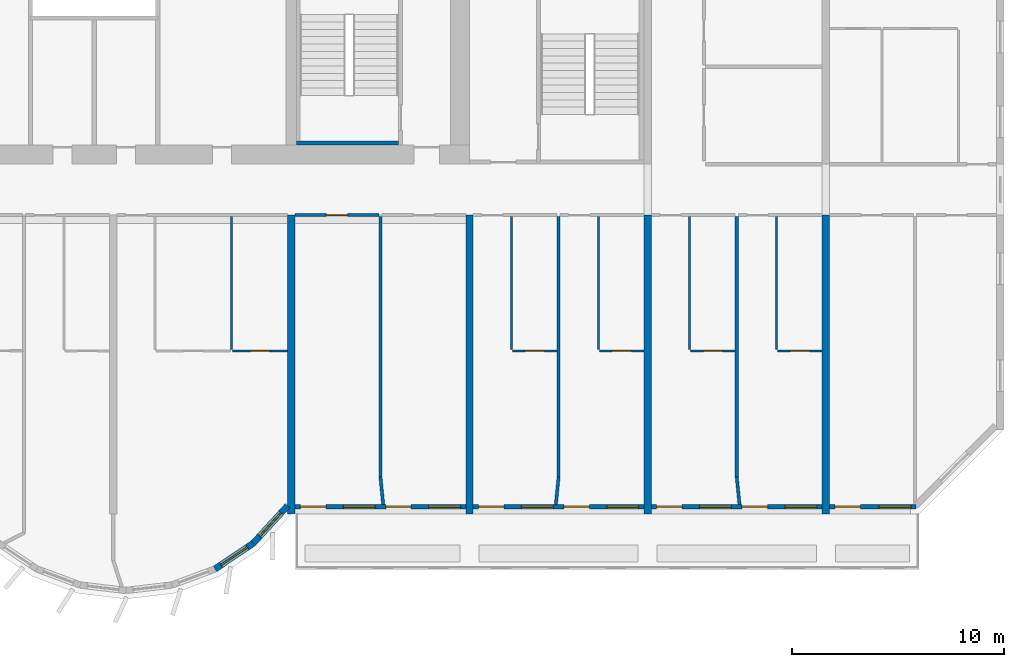
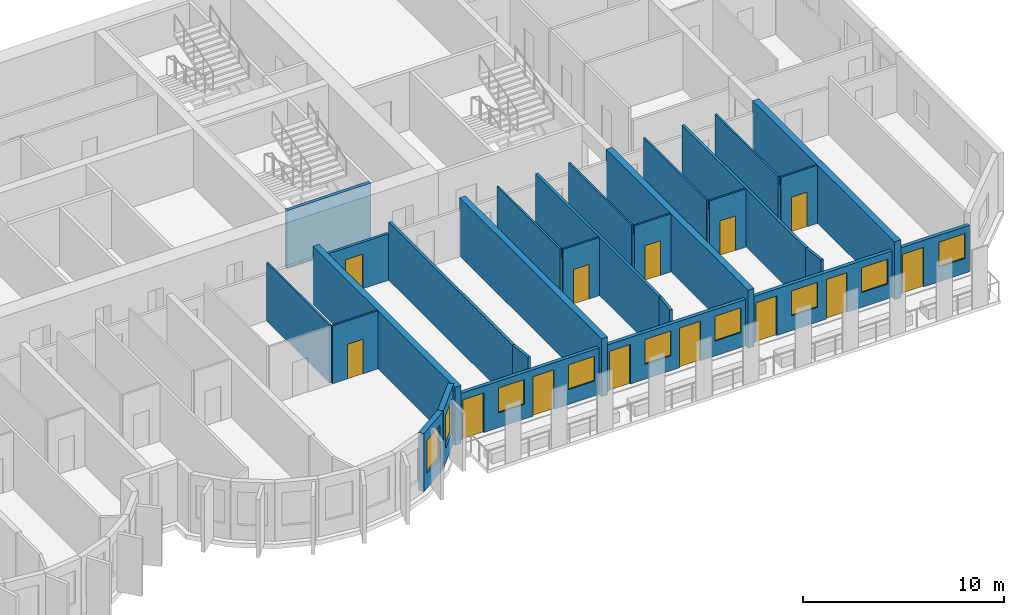
# One storey, part 8 of 14: 28 walls, 13 doors, 9 windows, 22 openings.
"""IFC4 building model written with IfcOpenShell, lengths in metres."""

from ifc_helpers import new_model, si_unit, direction, frame, frame_2d, origin, place, context, subcontext, project, spatial, rectangle, extrude, source, transform, mapped, material, layer, layer_set, type_object, element, fill, save


model = new_model("IFC4")

# Units and contexts
model_context = context("Model", 3, precision=1e-05, world=origin(), true_north=direction((0.0, 1.0)))
body_context = subcontext(model_context, "Body", "Model", "MODEL_VIEW")
ifc_project = project(units=[si_unit("LENGTHUNIT", "METRE"), si_unit("AREAUNIT", "SQUARE_METRE"), si_unit("VOLUMEUNIT", "CUBIC_METRE"), si_unit("PLANEANGLEUNIT", "RADIAN"), si_unit("MASSUNIT", "GRAM", prefix="KILO")], contexts=[model_context])

# Site, building, storey
site_placement = place(None, origin())
site = spatial("IfcSite", under=ifc_project, at=site_placement, CompositionType="ELEMENT")
building_placement = place(site_placement, origin())
building = spatial("IfcBuilding", under=site, at=building_placement, Name="Vanashikhar Sky Hotel", CompositionType="ELEMENT")
storey_placement = place(building_placement, frame((0.0, 0.0, 129.39990234375)))
storey = spatial("IfcBuildingStorey", under=building, at=storey_placement, Name="L31", CompositionType="ELEMENT", Elevation=129.39990234375)

# Walls
ifc_material_1 = material(Name="Concrete M70", Category="concrete")
ifc_layer_1 = layer(ifc_material_1, 0.35009765625)
ifc_layer_set_1 = layer_set([ifc_layer_1], Name="RC shear wall 350 Concrete M70")
wall_type_1 = type_object("IfcWallType", Name="RC shear wall 350 Concrete M70", PredefinedType="SHEAR", material=ifc_layer_set_1)
shared_shape_1 = source(origin(), body_context, "Body", "SweptSolid", [
    extrude(rectangle(XDim=14.10009765625, YDim=0.35009765625, at=frame_2d((7.050048828125, 0.0))), origin(), (0.0, 0.0, 1.0), 3.52001953125),
])
for number, where, z_axis, x_axis, name in (
    (1, (67.199951171875, 5.5, 0.0), (0.0, 0.0, 1.0), (0.0, 1.0, 0.0), "CW-L31-XW09-1"),
    (2, (75.60009765625, 5.5, 0.0), (0.0, 0.0, 1.0), (0.0, 1.0, 0.0), "CW-L31-XW10-1"),
    (3, (84.0, 5.5, 0.0), (0.0, 0.0, 1.0), (0.0, 1.0, 0.0), "CW-L31-XW11-1"),
    (4, (92.39990234375, 5.5, 0.0), (0.0, 0.0, 1.0), (0.0, 1.0, 0.0), "CW-L31-XW12-1"),
):
    element("IfcWall", number, at=place(storey_placement, frame(where, z_axis=z_axis, x_axis=x_axis)), inside=storey, type_object=wall_type_1, Name=name, PredefinedType="SHEAR", context=body_context, shape_type="MappedRepresentation", body=[
        mapped(shared_shape_1, transform((0.0, 0.0, 0.0), scale=1.0)),
    ])

# Wall, opening, window
ifc_material_2 = material(Name="Concrete M50", Category="concrete")
ifc_layer_2 = layer(ifc_material_2, 0.300048828125)
ifc_layer_set_2 = layer_set([ifc_layer_2], Name="Lobe wall 300")
wall_type_2 = type_object("IfcWallType", Name="Lobe wall 300", PredefinedType="SOLIDWALL", material=ifc_layer_set_2)
shared_shape_2 = source(origin(), body_context, "Body", "SweptSolid", [
    extrude(rectangle(XDim=2.398193359375, YDim=0.300048828125, at=frame_2d((1.19921875, 0.0))), origin(), (0.0, 0.0, 1.0), 3.52001953125),
])
wall_1_placement = place(storey_placement, frame((65.404296875, 4.13134765625, 0.0), z_axis=(0.0, 0.0, 1.0), x_axis=(0.675374189419, 0.737475222815, 0.0)))
wall_1 = element("IfcWall", 5, at=wall_1_placement, inside=storey, type_object=wall_type_2, Name="Lobe wall", PredefinedType="SOLIDWALL", context=body_context, shape_type="MappedRepresentation", body=[
    mapped(shared_shape_2, transform((0.0, 0.0, 0.0), scale=1.0)),
])
shared_shape_3 = source(origin(), body_context, "Body", "SweptSolid", [
    extrude(rectangle(XDim=1.5, YDim=2.0, at=frame_2d((0.75, 1.0))), frame((0.0, 0.16015625, 0.0), z_axis=(0.0, -1.0, 0.0), x_axis=(1.0, 0.0, 0.0)), (0.0, 0.0, 1.0), 0.320068359375),
])
opening_1_placement = place(wall_1_placement, frame((0.44921875, 0.0, 0.89990234375)))
opening_1 = element("IfcOpeningElement", 6, at=opening_1_placement, cuts=wall_1, Name="Opening WN-2", PredefinedType="OPENING", context=body_context, shape_type="MappedRepresentation", body=[
    mapped(shared_shape_3, transform((0.0, 0.0, 0.0), scale=1.0)),
])
ifc_material_3 = material(Name="Glass", Category="glass")
window_type_1 = type_object("IfcWindowType", Name="Lobe window 1500 x 2000", PartitioningType="SINGLE_PANEL", PredefinedType="WINDOW", material=ifc_material_3)
shared_shape_4 = source(origin(), body_context, "Body", "SweptSolid", [
    extrude(rectangle(XDim=1.5, YDim=2.0, at=frame_2d((0.75, 1.0))), frame((0.0, 0.030029296875, 0.0), z_axis=(0.0, -1.0, 0.0), x_axis=(1.0, 0.0, 0.0)), (0.0, 0.0, 1.0), 0.06005859375),
])
window_1_placement = place(opening_1_placement, origin())
window_1 = element("IfcWindow", 7, at=window_1_placement, inside=storey, type_object=window_type_1, Name="Window WN-2", OverallHeight=2.0, OverallWidth=1.5, PartitioningType="SINGLE_PANEL", PredefinedType="WINDOW", context=body_context, shape_type="MappedRepresentation", body=[
    mapped(shared_shape_4, transform((0.0, 0.0, 0.0), scale=1.0)),
])
fill(opening_1, window_1)

shared_shape_5 = source(origin(), body_context, "Body", "SweptSolid", [
    extrude(rectangle(XDim=2.17578125, YDim=0.300048828125, at=frame_2d((1.087890625, 0.0))), origin(), (0.0, 0.0, 1.0), 3.52001953125),
])
wall_2_placement = place(storey_placement, frame((63.59912109375, 2.91650390625, 0.0), z_axis=(0.0, 0.0, 1.0), x_axis=(0.829625727223, 0.558319937607, 0.0)))
wall_2 = element("IfcWall", 8, at=wall_2_placement, inside=storey, type_object=wall_type_2, Name="Lobe wall", PredefinedType="SOLIDWALL", context=body_context, shape_type="MappedRepresentation", body=[
    mapped(shared_shape_5, transform((0.0, 0.0, 0.0), scale=1.0)),
])
opening_2_placement = place(wall_2_placement, frame((0.337890625, 0.0, 0.89990234375)))
opening_2 = element("IfcOpeningElement", 9, at=opening_2_placement, cuts=wall_2, Name="Opening WN-2", PredefinedType="OPENING", context=body_context, shape_type="MappedRepresentation", body=[
    mapped(shared_shape_3, transform((0.0, 0.0, 0.0), scale=1.0)),
])
window_2_placement = place(opening_2_placement, origin())
window_2 = element("IfcWindow", 10, at=window_2_placement, inside=storey, type_object=window_type_1, Name="Window WN-2", OverallHeight=2.0, OverallWidth=1.5, PartitioningType="SINGLE_PANEL", PredefinedType="WINDOW", context=body_context, shape_type="MappedRepresentation", body=[
    mapped(shared_shape_4, transform((0.0, 0.0, 0.0), scale=1.0)),
])
fill(opening_2, window_2)

# Wall, openings, window, door
ifc_layer_3 = layer(ifc_material_2, 0.199951171875)
ifc_layer_set_3 = layer_set([ifc_layer_3], Name="Front window wall 200")
wall_type_3 = type_object("IfcWallType", Name="Front window wall 200", PredefinedType="SOLIDWALL", material=ifc_layer_set_3)
shared_shape_6 = source(origin(), body_context, "Body", "SweptSolid", [
    extrude(rectangle(XDim=4.080078125, YDim=0.199951171875, at=frame_2d((2.0400390625, 0.0))), origin(), (0.0, 0.0, 1.0), 2.820068359375),
])
wall_3_placement = place(storey_placement, frame((92.574951171875, 5.85009765625, 0.0), z_axis=(0.0, 0.0, 1.0), x_axis=(1.0, 0.0, 0.0)))
wall_3 = element("IfcWall", 11, at=wall_3_placement, inside=storey, type_object=wall_type_3, Name="Front window wall", PredefinedType="SOLIDWALL", context=body_context, shape_type="MappedRepresentation", body=[
    mapped(shared_shape_6, transform((0.0, 0.0, 0.0), scale=1.0)),
])
shared_shape_7 = source(origin(), body_context, "Body", "SweptSolid", [
    extrude(rectangle(XDim=1.199951171875, YDim=2.39990234375, at=frame_2d((0.60009765625, 1.199951171875))), frame((0.0, 0.10986328125, 0.0), z_axis=(0.0, -1.0, 0.0), x_axis=(1.0, 0.0, 0.0)), (0.0, 0.0, 1.0), 0.219970703125),
])
opening_3_placement = place(wall_3_placement, frame((0.25, 0.0, 0.0)))
opening_3 = element("IfcOpeningElement", 12, at=opening_3_placement, cuts=wall_3, Name="Opening BD-14", PredefinedType="OPENING", context=body_context, shape_type="MappedRepresentation", body=[
    mapped(shared_shape_7, transform((0.0, 0.0, 0.0), scale=1.0)),
])
shared_shape_8 = source(origin(), body_context, "Body", "SweptSolid", [
    extrude(rectangle(XDim=1.5, YDim=1.5, at=frame_2d((0.75, 0.75))), frame((0.0, 0.10986328125, 0.0), z_axis=(0.0, -1.0, 0.0), x_axis=(1.0, 0.0, 0.0)), (0.0, 0.0, 1.0), 0.219970703125),
])
opening_4_placement = place(wall_3_placement, frame((2.330078125, 0.0, 0.89990234375)))
opening_4 = element("IfcOpeningElement", 13, at=opening_4_placement, cuts=wall_3, Name="Opening WN-1", PredefinedType="OPENING", context=body_context, shape_type="MappedRepresentation", body=[
    mapped(shared_shape_8, transform((0.0, 0.0, 0.0), scale=1.0)),
])
window_type_2 = type_object("IfcWindowType", Name="Window 1500 x 1500", PartitioningType="SINGLE_PANEL", PredefinedType="WINDOW", material=ifc_material_3)
shared_shape_9 = source(origin(), body_context, "Body", "SweptSolid", [
    extrude(rectangle(XDim=1.5, YDim=1.5, at=frame_2d((0.75, 0.75))), frame((0.0, 0.030029296875, 0.0), z_axis=(0.0, -1.0, 0.0), x_axis=(1.0, 0.0, 0.0)), (0.0, 0.0, 1.0), 0.06005859375),
])
window_3_placement = place(opening_4_placement, origin())
window_3 = element("IfcWindow", 14, at=window_3_placement, inside=storey, type_object=window_type_2, Name="Window WN-1", OverallHeight=1.5, OverallWidth=1.5, PartitioningType="SINGLE_PANEL", PredefinedType="WINDOW", context=body_context, shape_type="MappedRepresentation", body=[
    mapped(shared_shape_9, transform((0.0, 0.0, 0.0), scale=1.0)),
])
fill(opening_4, window_3)
ifc_material_4 = material(Name="Aluminium", Category="aluminium")
door_type_1 = type_object("IfcDoorType", Name="Balcony sliding door 1200 x 2400", OperationType="NOTDEFINED", PredefinedType="DOOR", material=ifc_material_4)
shared_shape_10 = source(origin(), body_context, "Body", "SweptSolid", [
    extrude(rectangle(XDim=1.199951171875, YDim=2.39990234375, at=frame_2d((0.60009765625, 1.199951171875))), frame((0.0, 0.02490234375, 0.0), z_axis=(0.0, -1.0, 0.0), x_axis=(1.0, 0.0, 0.0)), (0.0, 0.0, 1.0), 0.050048828125),
])
door_1_placement = place(opening_3_placement, origin())
door_1 = element("IfcDoor", 15, at=door_1_placement, inside=storey, type_object=door_type_1, Name="Balcony sliding door", OperationType="SLIDING_TO_RIGHT", OverallHeight=2.39990234375, OverallWidth=1.199951171875, PredefinedType="DOOR", context=body_context, shape_type="MappedRepresentation", body=[
    mapped(shared_shape_10, transform((0.0, 0.0, 0.0), scale=1.0)),
])
fill(opening_3, door_1)

# Wall, openings, windows, doors
shared_shape_11 = source(origin(), body_context, "Body", "SweptSolid", [
    extrude(rectangle(XDim=8.050048828125, YDim=0.199951171875, at=frame_2d((4.02490234375, 0.0))), origin(), (0.0, 0.0, 1.0), 2.820068359375),
])
wall_4_placement = place(storey_placement, frame((67.375, 5.85009765625, 0.0), z_axis=(0.0, 0.0, 1.0), x_axis=(1.0, 0.0, 0.0)))
wall_4 = element("IfcWall", 16, at=wall_4_placement, inside=storey, type_object=wall_type_3, Name="Front window wall", PredefinedType="SOLIDWALL", context=body_context, shape_type="MappedRepresentation", body=[
    mapped(shared_shape_11, transform((0.0, 0.0, 0.0), scale=1.0)),
])
opening_5_placement = place(wall_4_placement, frame((0.25, 0.0, 0.0)))
opening_5 = element("IfcOpeningElement", 17, at=opening_5_placement, cuts=wall_4, Name="Opening BD-08", PredefinedType="OPENING", context=body_context, shape_type="MappedRepresentation", body=[
    mapped(shared_shape_7, transform((0.0, 0.0, 0.0), scale=1.0)),
])
opening_6_placement = place(wall_4_placement, frame((2.27490234375, 0.0, 0.89990234375)))
opening_6 = element("IfcOpeningElement", 18, at=opening_6_placement, cuts=wall_4, Name="Opening WN-1", PredefinedType="OPENING", context=body_context, shape_type="MappedRepresentation", body=[
    mapped(shared_shape_8, transform((0.0, 0.0, 0.0), scale=1.0)),
])
opening_7_placement = place(wall_4_placement, frame((4.27490234375, 0.0, 0.0)))
opening_7 = element("IfcOpeningElement", 19, at=opening_7_placement, cuts=wall_4, Name="Opening BD-09", PredefinedType="OPENING", context=body_context, shape_type="MappedRepresentation", body=[
    mapped(shared_shape_7, transform((0.0, 0.0, 0.0), scale=1.0)),
])
opening_8_placement = place(wall_4_placement, frame((6.300048828125, 0.0, 0.89990234375)))
opening_8 = element("IfcOpeningElement", 20, at=opening_8_placement, cuts=wall_4, Name="Opening WN-1", PredefinedType="OPENING", context=body_context, shape_type="MappedRepresentation", body=[
    mapped(shared_shape_8, transform((0.0, 0.0, 0.0), scale=1.0)),
])
window_4_placement = place(opening_6_placement, origin())
window_4 = element("IfcWindow", 21, at=window_4_placement, inside=storey, type_object=window_type_2, Name="Window WN-1", OverallHeight=1.5, OverallWidth=1.5, PartitioningType="SINGLE_PANEL", PredefinedType="WINDOW", context=body_context, shape_type="MappedRepresentation", body=[
    mapped(shared_shape_9, transform((0.0, 0.0, 0.0), scale=1.0)),
])
fill(opening_6, window_4)
window_5_placement = place(opening_8_placement, origin())
window_5 = element("IfcWindow", 22, at=window_5_placement, inside=storey, type_object=window_type_2, Name="Window WN-1", OverallHeight=1.5, OverallWidth=1.5, PartitioningType="SINGLE_PANEL", PredefinedType="WINDOW", context=body_context, shape_type="MappedRepresentation", body=[
    mapped(shared_shape_9, transform((0.0, 0.0, 0.0), scale=1.0)),
])
fill(opening_8, window_5)
door_2_placement = place(opening_5_placement, origin())
door_2 = element("IfcDoor", 23, at=door_2_placement, inside=storey, type_object=door_type_1, Name="Balcony sliding door", OperationType="SLIDING_TO_RIGHT", OverallHeight=2.39990234375, OverallWidth=1.199951171875, PredefinedType="DOOR", context=body_context, shape_type="MappedRepresentation", body=[
    mapped(shared_shape_10, transform((0.0, 0.0, 0.0), scale=1.0)),
])
fill(opening_5, door_2)
door_3_placement = place(opening_7_placement, origin())
door_3 = element("IfcDoor", 24, at=door_3_placement, inside=storey, type_object=door_type_1, Name="Balcony sliding door", OperationType="SLIDING_TO_LEFT", OverallHeight=2.39990234375, OverallWidth=1.199951171875, PredefinedType="DOOR", context=body_context, shape_type="MappedRepresentation", body=[
    mapped(shared_shape_10, transform((0.0, 0.0, 0.0), scale=1.0)),
])
fill(opening_7, door_3)

wall_5_placement = place(storey_placement, frame((75.77490234375, 5.85009765625, 0.0), z_axis=(0.0, 0.0, 1.0), x_axis=(1.0, 0.0, 0.0)))
wall_5 = element("IfcWall", 25, at=wall_5_placement, inside=storey, type_object=wall_type_3, Name="Front window wall", PredefinedType="SOLIDWALL", context=body_context, shape_type="MappedRepresentation", body=[
    mapped(shared_shape_11, transform((0.0, 0.0, 0.0), scale=1.0)),
])
opening_9_placement = place(wall_5_placement, frame((0.25, 0.0, 0.0)))
opening_9 = element("IfcOpeningElement", 26, at=opening_9_placement, cuts=wall_5, Name="Opening BD-10", PredefinedType="OPENING", context=body_context, shape_type="MappedRepresentation", body=[
    mapped(shared_shape_7, transform((0.0, 0.0, 0.0), scale=1.0)),
])
opening_10_placement = place(wall_5_placement, frame((2.27490234375, 0.0, 0.89990234375)))
opening_10 = element("IfcOpeningElement", 27, at=opening_10_placement, cuts=wall_5, Name="Opening WN-1", PredefinedType="OPENING", context=body_context, shape_type="MappedRepresentation", body=[
    mapped(shared_shape_8, transform((0.0, 0.0, 0.0), scale=1.0)),
])
opening_11_placement = place(wall_5_placement, frame((4.27490234375, 0.0, 0.0)))
opening_11 = element("IfcOpeningElement", 28, at=opening_11_placement, cuts=wall_5, Name="Opening BD-11", PredefinedType="OPENING", context=body_context, shape_type="MappedRepresentation", body=[
    mapped(shared_shape_7, transform((0.0, 0.0, 0.0), scale=1.0)),
])
opening_12_placement = place(wall_5_placement, frame((6.300048828125, 0.0, 0.89990234375)))
opening_12 = element("IfcOpeningElement", 29, at=opening_12_placement, cuts=wall_5, Name="Opening WN-1", PredefinedType="OPENING", context=body_context, shape_type="MappedRepresentation", body=[
    mapped(shared_shape_8, transform((0.0, 0.0, 0.0), scale=1.0)),
])
window_6_placement = place(opening_10_placement, origin())
window_6 = element("IfcWindow", 30, at=window_6_placement, inside=storey, type_object=window_type_2, Name="Window WN-1", OverallHeight=1.5, OverallWidth=1.5, PartitioningType="SINGLE_PANEL", PredefinedType="WINDOW", context=body_context, shape_type="MappedRepresentation", body=[
    mapped(shared_shape_9, transform((0.0, 0.0, 0.0), scale=1.0)),
])
fill(opening_10, window_6)
window_7_placement = place(opening_12_placement, origin())
window_7 = element("IfcWindow", 31, at=window_7_placement, inside=storey, type_object=window_type_2, Name="Window WN-1", OverallHeight=1.5, OverallWidth=1.5, PartitioningType="SINGLE_PANEL", PredefinedType="WINDOW", context=body_context, shape_type="MappedRepresentation", body=[
    mapped(shared_shape_9, transform((0.0, 0.0, 0.0), scale=1.0)),
])
fill(opening_12, window_7)
door_4_placement = place(opening_9_placement, origin())
door_4 = element("IfcDoor", 32, at=door_4_placement, inside=storey, type_object=door_type_1, Name="Balcony sliding door", OperationType="SLIDING_TO_RIGHT", OverallHeight=2.39990234375, OverallWidth=1.199951171875, PredefinedType="DOOR", context=body_context, shape_type="MappedRepresentation", body=[
    mapped(shared_shape_10, transform((0.0, 0.0, 0.0), scale=1.0)),
])
fill(opening_9, door_4)
door_5_placement = place(opening_11_placement, origin())
door_5 = element("IfcDoor", 33, at=door_5_placement, inside=storey, type_object=door_type_1, Name="Balcony sliding door", OperationType="SLIDING_TO_LEFT", OverallHeight=2.39990234375, OverallWidth=1.199951171875, PredefinedType="DOOR", context=body_context, shape_type="MappedRepresentation", body=[
    mapped(shared_shape_10, transform((0.0, 0.0, 0.0), scale=1.0)),
])
fill(opening_11, door_5)

wall_6_placement = place(storey_placement, frame((84.175048828125, 5.85009765625, 0.0), z_axis=(0.0, 0.0, 1.0), x_axis=(1.0, 0.0, 0.0)))
wall_6 = element("IfcWall", 34, at=wall_6_placement, inside=storey, type_object=wall_type_3, Name="Front window wall", PredefinedType="SOLIDWALL", context=body_context, shape_type="MappedRepresentation", body=[
    mapped(shared_shape_11, transform((0.0, 0.0, 0.0), scale=1.0)),
])
opening_13_placement = place(wall_6_placement, frame((0.25, 0.0, 0.0)))
opening_13 = element("IfcOpeningElement", 35, at=opening_13_placement, cuts=wall_6, Name="Opening BD-12", PredefinedType="OPENING", context=body_context, shape_type="MappedRepresentation", body=[
    mapped(shared_shape_7, transform((0.0, 0.0, 0.0), scale=1.0)),
])
opening_14_placement = place(wall_6_placement, frame((2.27490234375, 0.0, 0.89990234375)))
opening_14 = element("IfcOpeningElement", 36, at=opening_14_placement, cuts=wall_6, Name="Opening WN-1", PredefinedType="OPENING", context=body_context, shape_type="MappedRepresentation", body=[
    mapped(shared_shape_8, transform((0.0, 0.0, 0.0), scale=1.0)),
])
opening_15_placement = place(wall_6_placement, frame((4.27490234375, 0.0, 0.0)))
opening_15 = element("IfcOpeningElement", 37, at=opening_15_placement, cuts=wall_6, Name="Opening BD-13", PredefinedType="OPENING", context=body_context, shape_type="MappedRepresentation", body=[
    mapped(shared_shape_7, transform((0.0, 0.0, 0.0), scale=1.0)),
])
opening_16_placement = place(wall_6_placement, frame((6.300048828125, 0.0, 0.89990234375)))
opening_16 = element("IfcOpeningElement", 38, at=opening_16_placement, cuts=wall_6, Name="Opening WN-1", PredefinedType="OPENING", context=body_context, shape_type="MappedRepresentation", body=[
    mapped(shared_shape_8, transform((0.0, 0.0, 0.0), scale=1.0)),
])
window_8_placement = place(opening_14_placement, origin())
window_8 = element("IfcWindow", 39, at=window_8_placement, inside=storey, type_object=window_type_2, Name="Window WN-1", OverallHeight=1.5, OverallWidth=1.5, PartitioningType="SINGLE_PANEL", PredefinedType="WINDOW", context=body_context, shape_type="MappedRepresentation", body=[
    mapped(shared_shape_9, transform((0.0, 0.0, 0.0), scale=1.0)),
])
fill(opening_14, window_8)
window_9_placement = place(opening_16_placement, origin())
window_9 = element("IfcWindow", 40, at=window_9_placement, inside=storey, type_object=window_type_2, Name="Window WN-1", OverallHeight=1.5, OverallWidth=1.5, PartitioningType="SINGLE_PANEL", PredefinedType="WINDOW", context=body_context, shape_type="MappedRepresentation", body=[
    mapped(shared_shape_9, transform((0.0, 0.0, 0.0), scale=1.0)),
])
fill(opening_16, window_9)
door_6_placement = place(opening_13_placement, origin())
door_6 = element("IfcDoor", 41, at=door_6_placement, inside=storey, type_object=door_type_1, Name="Balcony sliding door", OperationType="SLIDING_TO_RIGHT", OverallHeight=2.39990234375, OverallWidth=1.199951171875, PredefinedType="DOOR", context=body_context, shape_type="MappedRepresentation", body=[
    mapped(shared_shape_10, transform((0.0, 0.0, 0.0), scale=1.0)),
])
fill(opening_13, door_6)
door_7_placement = place(opening_15_placement, origin())
door_7 = element("IfcDoor", 42, at=door_7_placement, inside=storey, type_object=door_type_1, Name="Balcony sliding door", OperationType="SLIDING_TO_LEFT", OverallHeight=2.39990234375, OverallWidth=1.199951171875, PredefinedType="DOOR", context=body_context, shape_type="MappedRepresentation", body=[
    mapped(shared_shape_10, transform((0.0, 0.0, 0.0), scale=1.0)),
])
fill(opening_15, door_7)

# Walls
ifc_layer_4 = layer(ifc_material_2, 0.199951171875)
ifc_layer_set_4 = layer_set([ifc_layer_4], Name="Stair infill wall 200")
wall_type_4 = type_object("IfcWallType", Name="Stair infill wall 200", PredefinedType="SOLIDWALL", material=ifc_layer_set_4)
shared_shape_12 = source(origin(), body_context, "Body", "SweptSolid", [
    extrude(rectangle(XDim=4.800048828125, YDim=0.199951171875, at=frame_2d((2.39990234375, 0.0))), origin(), (0.0, 0.0, 1.0), 3.52001953125),
])
wall_7_placement = place(storey_placement, frame((67.449951171875, 23.0, 0.0), z_axis=(0.0, 0.0, 1.0), x_axis=(1.0, 0.0, 0.0)))
element("IfcWall", 43, at=wall_7_placement, inside=storey, type_object=wall_type_4, Name="Stair infill wall 200", PredefinedType="SOLIDWALL", context=body_context, shape_type="MappedRepresentation", body=[
    mapped(shared_shape_12, transform((0.0, 0.0, 0.0), scale=1.0)),
])
ifc_material_5 = material(Name="Gypsum plasterboard partition")
ifc_layer_5 = layer(ifc_material_5, 0.10009765625)
ifc_layer_set_5 = layer_set([ifc_layer_5], Name="Wet room partition 100")
wall_type_5 = type_object("IfcWallType", Name="Wet room partition 100", PredefinedType="PARTITIONING", material=ifc_layer_set_5)
shared_shape_13 = source(origin(), body_context, "Body", "SweptSolid", [
    extrude(rectangle(XDim=6.25, YDim=0.10009765625, at=frame_2d((3.125, 0.0))), origin(), (0.0, 0.0, 1.0), 3.52001953125),
])
for number, where, z_axis, x_axis, name in (
    (44, (64.375, 13.27490234375, 0.0), (0.0, 0.0, 1.0), (0.0, 1.0, 0.0), "W-L31-PW045"),
    (45, (77.574951171875, 13.27490234375, 0.0), (0.0, 0.0, 1.0), (0.0, 1.0, 0.0), "W-L31-PW052"),
    (46, (81.675048828125, 13.27490234375, 0.0), (0.0, 0.0, 1.0), (0.0, 1.0, 0.0), "W-L31-PW055"),
    (47, (85.97509765625, 13.27490234375, 0.0), (0.0, 0.0, 1.0), (0.0, 1.0, 0.0), "W-L31-PW059"),
    (48, (90.074951171875, 13.27490234375, 0.0), (0.0, 0.0, 1.0), (0.0, 1.0, 0.0), "W-L31-PW062"),
):
    element("IfcWall", number, at=place(storey_placement, frame(where, z_axis=z_axis, x_axis=x_axis)), inside=storey, type_object=wall_type_5, Name=name, PredefinedType="PARTITIONING", context=body_context, shape_type="MappedRepresentation", body=[
        mapped(shared_shape_13, transform((0.0, 0.0, 0.0), scale=1.0)),
    ])

# Wall, opening, door
shared_shape_14 = source(origin(), body_context, "Body", "SweptSolid", [
    extrude(rectangle(XDim=2.10009765625, YDim=0.10009765625, at=frame_2d((1.050048828125, 0.0))), origin(), (0.0, 0.0, 1.0), 3.52001953125),
])
wall_8_placement = place(storey_placement, frame((77.625, 13.199951171875, 0.0), z_axis=(0.0, 0.0, 1.0), x_axis=(1.0, 0.0, 0.0)))
wall_8 = element("IfcWall", 49, at=wall_8_placement, inside=storey, type_object=wall_type_5, Name="W-L31-PW053", PredefinedType="PARTITIONING", context=body_context, shape_type="MappedRepresentation", body=[
    mapped(shared_shape_14, transform((0.0, 0.0, 0.0), scale=1.0)),
])
shared_shape_15 = source(origin(), body_context, "Body", "SweptSolid", [
    extrude(rectangle(XDim=0.89990234375, YDim=2.10009765625, at=frame_2d((0.449951171875, 1.050048828125))), frame((0.0, 0.06005859375, 0.0), z_axis=(0.0, -1.0, 0.0), x_axis=(1.0, 0.0, 0.0)), (0.0, 0.0, 1.0), 0.1201171875),
])
opening_17_placement = place(wall_8_placement, frame((0.60009765625, 0.0, 0.0)))
opening_17 = element("IfcOpeningElement", 50, at=opening_17_placement, cuts=wall_8, Name="Opening D-02", PredefinedType="OPENING", context=body_context, shape_type="MappedRepresentation", body=[
    mapped(shared_shape_15, transform((0.0, 0.0, 0.0), scale=1.0)),
])
ifc_material_6 = material(Name="Timber door", Category="wood")
door_type_2 = type_object("IfcDoorType", Name="Internal door 900", OperationType="NOTDEFINED", PredefinedType="DOOR", material=ifc_material_6)
shared_shape_16 = source(origin(), body_context, "Body", "SweptSolid", [
    extrude(rectangle(XDim=0.89990234375, YDim=2.10009765625, at=frame_2d((0.449951171875, 1.050048828125))), frame((0.0, 0.02490234375, 0.0), z_axis=(0.0, -1.0, 0.0), x_axis=(1.0, 0.0, 0.0)), (0.0, 0.0, 1.0), 0.050048828125),
])
door_8_placement = place(opening_17_placement, origin())
door_8 = element("IfcDoor", 51, at=door_8_placement, inside=storey, type_object=door_type_2, Name="D-L31-031", OperationType="SINGLE_SWING_LEFT", OverallHeight=2.10009765625, OverallWidth=0.89990234375, PredefinedType="DOOR", context=body_context, shape_type="MappedRepresentation", body=[
    mapped(shared_shape_16, transform((0.0, 0.0, 0.0), scale=1.0)),
])
fill(opening_17, door_8)

wall_9_placement = place(storey_placement, frame((86.02490234375, 13.199951171875, 0.0), z_axis=(0.0, 0.0, 1.0), x_axis=(1.0, 0.0, 0.0)))
wall_9 = element("IfcWall", 52, at=wall_9_placement, inside=storey, type_object=wall_type_5, Name="W-L31-PW060", PredefinedType="PARTITIONING", context=body_context, shape_type="MappedRepresentation", body=[
    mapped(shared_shape_14, transform((0.0, 0.0, 0.0), scale=1.0)),
])
opening_18_placement = place(wall_9_placement, frame((0.60009765625, 0.0, 0.0)))
opening_18 = element("IfcOpeningElement", 53, at=opening_18_placement, cuts=wall_9, Name="Opening D-02", PredefinedType="OPENING", context=body_context, shape_type="MappedRepresentation", body=[
    mapped(shared_shape_15, transform((0.0, 0.0, 0.0), scale=1.0)),
])
door_9_placement = place(opening_18_placement, origin())
door_9 = element("IfcDoor", 54, at=door_9_placement, inside=storey, type_object=door_type_2, Name="D-L31-035", OperationType="SINGLE_SWING_LEFT", OverallHeight=2.10009765625, OverallWidth=0.89990234375, PredefinedType="DOOR", context=body_context, shape_type="MappedRepresentation", body=[
    mapped(shared_shape_16, transform((0.0, 0.0, 0.0), scale=1.0)),
])
fill(opening_18, door_9)

wall_10_placement = place(storey_placement, frame((90.125, 13.199951171875, 0.0), z_axis=(0.0, 0.0, 1.0), x_axis=(1.0, 0.0, 0.0)))
wall_10 = element("IfcWall", 55, at=wall_10_placement, inside=storey, type_object=wall_type_5, Name="W-L31-PW063", PredefinedType="PARTITIONING", context=body_context, shape_type="MappedRepresentation", body=[
    mapped(shared_shape_14, transform((0.0, 0.0, 0.0), scale=1.0)),
])
opening_19_placement = place(wall_10_placement, frame((0.60009765625, 0.0, 0.0)))
opening_19 = element("IfcOpeningElement", 56, at=opening_19_placement, cuts=wall_10, Name="Opening D-02", PredefinedType="OPENING", context=body_context, shape_type="MappedRepresentation", body=[
    mapped(shared_shape_15, transform((0.0, 0.0, 0.0), scale=1.0)),
])
door_10_placement = place(opening_19_placement, origin())
door_10 = element("IfcDoor", 57, at=door_10_placement, inside=storey, type_object=door_type_2, Name="D-L31-037", OperationType="SINGLE_SWING_LEFT", OverallHeight=2.10009765625, OverallWidth=0.89990234375, PredefinedType="DOOR", context=body_context, shape_type="MappedRepresentation", body=[
    mapped(shared_shape_16, transform((0.0, 0.0, 0.0), scale=1.0)),
])
fill(opening_19, door_10)

ifc_layer_6 = layer(ifc_material_5, 0.14990234375)
ifc_layer_set_6 = layer_set([ifc_layer_6], Name="Corridor and demising partition 150")
wall_type_6 = type_object("IfcWallType", Name="Corridor and demising partition 150", PredefinedType="PARTITIONING", material=ifc_layer_set_6)
shared_shape_17 = source(origin(), body_context, "Body", "SweptSolid", [
    extrude(rectangle(XDim=3.949951171875, YDim=0.14990234375, at=frame_2d((1.97509765625, 0.0))), origin(), (0.0, 0.0, 1.0), 2.820068359375),
])
wall_11_placement = place(storey_placement, frame((67.375, 19.60009765625, 0.0), z_axis=(0.0, 0.0, 1.0), x_axis=(1.0, 0.0, 0.0)))
wall_11 = element("IfcWall", 58, at=wall_11_placement, inside=storey, type_object=wall_type_6, Name="W-L31-PW049", PredefinedType="PARTITIONING", context=body_context, shape_type="MappedRepresentation", body=[
    mapped(shared_shape_17, transform((0.0, 0.0, 0.0), scale=1.0)),
])
shared_shape_18 = source(origin(), body_context, "Body", "SweptSolid", [
    extrude(rectangle(XDim=1.0, YDim=2.10009765625, at=frame_2d((0.5, 1.050048828125))), frame((0.0, 0.0849609375, 0.0), z_axis=(0.0, -1.0, 0.0), x_axis=(1.0, 0.0, 0.0)), (0.0, 0.0, 1.0), 0.169921875),
])
opening_20_placement = place(wall_11_placement, frame((1.47509765625, 0.0, 0.0)))
opening_20 = element("IfcOpeningElement", 59, at=opening_20_placement, cuts=wall_11, Name="Opening D-01", PredefinedType="OPENING", context=body_context, shape_type="MappedRepresentation", body=[
    mapped(shared_shape_18, transform((0.0, 0.0, 0.0), scale=1.0)),
])
ifc_material_7 = material(Name="Timber fire door", Category="wood")
door_type_3 = type_object("IfcDoorType", Name="Guest entry door 1000 FD30S", OperationType="NOTDEFINED", PredefinedType="DOOR", material=ifc_material_7)
shared_shape_19 = source(origin(), body_context, "Body", "SweptSolid", [
    extrude(rectangle(XDim=1.0, YDim=2.10009765625, at=frame_2d((0.5, 1.050048828125))), frame((0.0, 0.02490234375, 0.0), z_axis=(0.0, -1.0, 0.0), x_axis=(1.0, 0.0, 0.0)), (0.0, 0.0, 1.0), 0.050048828125),
])
door_11_placement = place(opening_20_placement, origin())
door_11 = element("IfcDoor", 60, at=door_11_placement, inside=storey, type_object=door_type_3, Name="D-L31-029", OperationType="SINGLE_SWING_LEFT", OverallHeight=2.10009765625, OverallWidth=1.0, PredefinedType="DOOR", context=body_context, shape_type="MappedRepresentation", body=[
    mapped(shared_shape_19, transform((0.0, 0.0, 0.0), scale=1.0)),
])
fill(opening_20, door_11)

shared_shape_20 = source(origin(), body_context, "Body", "SweptSolid", [
    extrude(rectangle(XDim=2.099853515625, YDim=0.10009765625, at=frame_2d((1.0498046875, 0.0))), origin(), (0.0, 0.0, 1.0), 3.52001953125),
])
wall_12_placement = place(storey_placement, frame((81.72509765625, 13.199951171875, 0.0), z_axis=(0.0, 0.0, 1.0), x_axis=(1.0, 0.0, 0.0)))
wall_12 = element("IfcWall", 61, at=wall_12_placement, inside=storey, type_object=wall_type_5, Name="W-L31-PW056", PredefinedType="PARTITIONING", context=body_context, shape_type="MappedRepresentation", body=[
    mapped(shared_shape_20, transform((0.0, 0.0, 0.0), scale=1.0)),
])
opening_21_placement = place(wall_12_placement, frame((0.60009765625, 0.0, 0.0)))
opening_21 = element("IfcOpeningElement", 62, at=opening_21_placement, cuts=wall_12, Name="Opening D-02", PredefinedType="OPENING", context=body_context, shape_type="MappedRepresentation", body=[
    mapped(shared_shape_15, transform((0.0, 0.0, 0.0), scale=1.0)),
])
door_12_placement = place(opening_21_placement, origin())
door_12 = element("IfcDoor", 63, at=door_12_placement, inside=storey, type_object=door_type_2, Name="D-L31-033", OperationType="SINGLE_SWING_LEFT", OverallHeight=2.10009765625, OverallWidth=0.89990234375, PredefinedType="DOOR", context=body_context, shape_type="MappedRepresentation", body=[
    mapped(shared_shape_16, transform((0.0, 0.0, 0.0), scale=1.0)),
])
fill(opening_21, door_12)

# Walls
shared_shape_21 = source(origin(), body_context, "Body", "SweptSolid", [
    extrude(rectangle(XDim=12.27490234375, YDim=0.14990234375, at=frame_2d((6.137451171875, 0.0))), origin(), (0.0, 0.0, 1.0), 3.52001953125),
])
for number, where, z_axis, x_axis, name in (
    (64, (71.39990234375, 7.25, 0.0), (0.0, 0.0, 1.0), (0.0, 1.0, 0.0), "W-L31-PW051"),
    (65, (79.800048828125, 7.25, 0.0), (0.0, 0.0, 1.0), (0.0, 1.0, 0.0), "W-L31-PW058"),
    (66, (88.199951171875, 7.25, 0.0), (0.0, 0.0, 1.0), (0.0, 1.0, 0.0), "W-L31-PW065"),
):
    element("IfcWall", number, at=place(storey_placement, frame(where, z_axis=z_axis, x_axis=x_axis)), inside=storey, type_object=wall_type_6, Name=name, PredefinedType="PARTITIONING", context=body_context, shape_type="MappedRepresentation", body=[
        mapped(shared_shape_21, transform((0.0, 0.0, 0.0), scale=1.0)),
    ])

# Wall, opening, door
shared_shape_22 = source(origin(), body_context, "Body", "SweptSolid", [
    extrude(rectangle(XDim=2.599853515625, YDim=0.10009765625, at=frame_2d((1.2998046875, 0.0))), origin(), (0.0, 0.0, 1.0), 3.52001953125),
])
wall_13_placement = place(storey_placement, frame((64.425048828125, 13.199951171875, 0.0), z_axis=(0.0, 0.0, 1.0), x_axis=(1.0, 0.0, 0.0)))
wall_13 = element("IfcWall", 67, at=wall_13_placement, inside=storey, type_object=wall_type_5, Name="W-L31-PW047", PredefinedType="PARTITIONING", context=body_context, shape_type="MappedRepresentation", body=[
    mapped(shared_shape_22, transform((0.0, 0.0, 0.0), scale=1.0)),
])
opening_22_placement = place(wall_13_placement, frame((0.85009765625, 0.0, 0.0)))
opening_22 = element("IfcOpeningElement", 68, at=opening_22_placement, cuts=wall_13, Name="Opening D-02", PredefinedType="OPENING", context=body_context, shape_type="MappedRepresentation", body=[
    mapped(shared_shape_15, transform((0.0, 0.0, 0.0), scale=1.0)),
])
door_13_placement = place(opening_22_placement, origin())
door_13 = element("IfcDoor", 69, at=door_13_placement, inside=storey, type_object=door_type_2, Name="D-L31-027", OperationType="SINGLE_SWING_LEFT", OverallHeight=2.10009765625, OverallWidth=0.89990234375, PredefinedType="DOOR", context=body_context, shape_type="MappedRepresentation", body=[
    mapped(shared_shape_16, transform((0.0, 0.0, 0.0), scale=1.0)),
])
fill(opening_22, door_13)

# Walls
shared_shape_23 = source(origin(), body_context, "Body", "SweptSolid", [
    extrude(rectangle(XDim=1.306640625, YDim=0.14990234375, at=frame_2d((0.6533203125, 0.0))), origin(), (0.0, 0.0, 1.0), 3.52001953125),
])
for number, where, z_axis, x_axis, name in (
    (70, (71.530029296875, 5.949951171875, 0.0), (0.0, 0.0, 1.0), (-0.099596223396, 0.99502793543, 0.0), "W-L31-PW051B0"),
    (71, (79.669921875, 5.949951171875, 0.0), (0.0, 0.0, 1.0), (0.099596223396, 0.99502793543, 0.0), "W-L31-PW058B0"),
    (72, (88.330078125, 5.949951171875, 0.0), (0.0, 0.0, 1.0), (-0.099596223396, 0.99502793543, 0.0), "W-L31-PW065B0"),
):
    element("IfcWall", number, at=place(storey_placement, frame(where, z_axis=z_axis, x_axis=x_axis)), inside=storey, type_object=wall_type_6, Name=name, PredefinedType="PARTITIONING", context=body_context, shape_type="MappedRepresentation", body=[
        mapped(shared_shape_23, transform((0.0, 0.0, 0.0), scale=1.0)),
    ])

save(model, "model.ifc")
